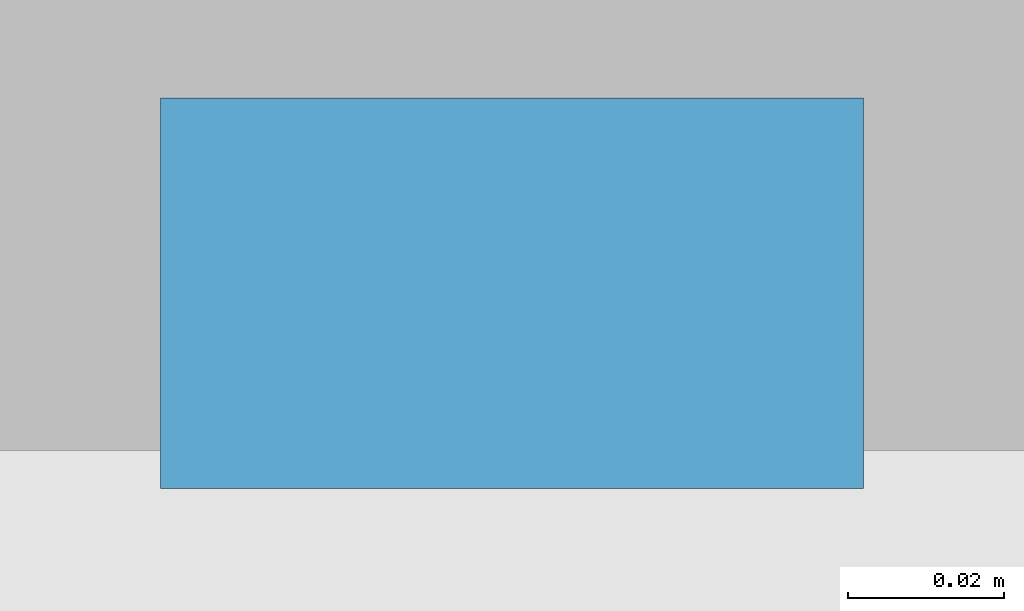
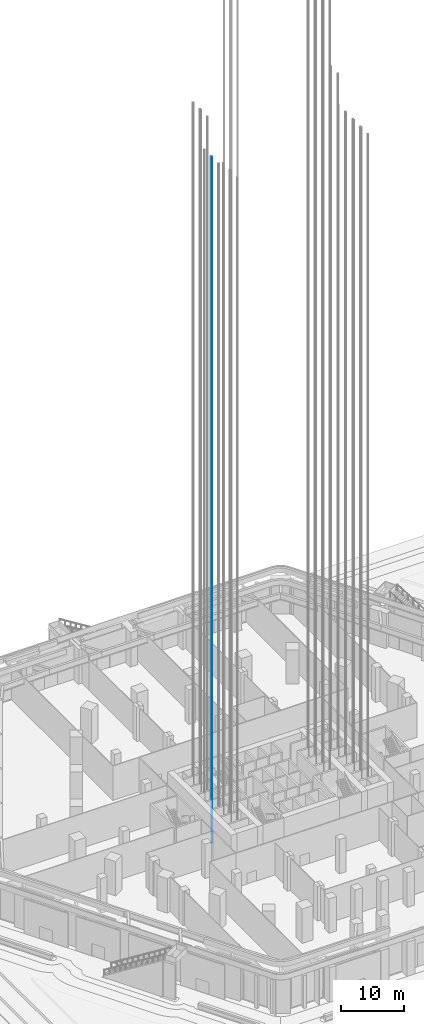
# One storey, part 32 of 68: 1 discrete accessory.
"""IFC4 building model written with IfcOpenShell, lengths in metres."""

from ifc_helpers import new_model, si_unit, direction, frame, origin, origin_2d, place, context, subcontext, project, spatial, rectangle, extrude, element, save


model = new_model("IFC4")

# Units and contexts
model_context = context("Model", 3, precision=1e-05, world=origin(), true_north=direction((0.0, 1.0)))
body_context = subcontext(model_context, "Body", "Model", "MODEL_VIEW")
ifc_project = project(units=[si_unit("LENGTHUNIT", "METRE"), si_unit("AREAUNIT", "SQUARE_METRE"), si_unit("VOLUMEUNIT", "CUBIC_METRE"), si_unit("PLANEANGLEUNIT", "RADIAN"), si_unit("MASSUNIT", "GRAM", prefix="KILO")], contexts=[model_context])

# Site, building, storey
site_placement = place(None, origin())
site = spatial("IfcSite", under=ifc_project, at=site_placement, CompositionType="ELEMENT")
building_placement = place(site_placement, origin())
building = spatial("IfcBuilding", under=site, at=building_placement, Name="Kolab Exchange Tower", CompositionType="ELEMENT")
storey_placement = place(building_placement, origin())
storey = spatial("IfcBuildingStorey", under=building, at=storey_placement, Name="L00", CompositionType="ELEMENT", Elevation=0.0)

# Discrete accessory
discrete_accessory_placement = place(storey_placement, frame((-12.699951171875, -0.1298828125, -1.599853515625), z_axis=(0.0, 0.0, 1.0), x_axis=(1.0, 0.0, 0.0)))
element("IfcDiscreteAccessory", 1, at=discrete_accessory_placement, inside=storey, Name="Guide rail LR7-2", ObjectType="GUIDE RAIL", PredefinedType="USERDEFINED", context=body_context, shape_type="SweptSolid", body=[
    extrude(rectangle(XDim=0.090087890625, YDim=0.050048828125, at=origin_2d()), origin(), (0.0, 0.0, 1.0), 133.39990234375),
])

save(model, "model.ifc")
